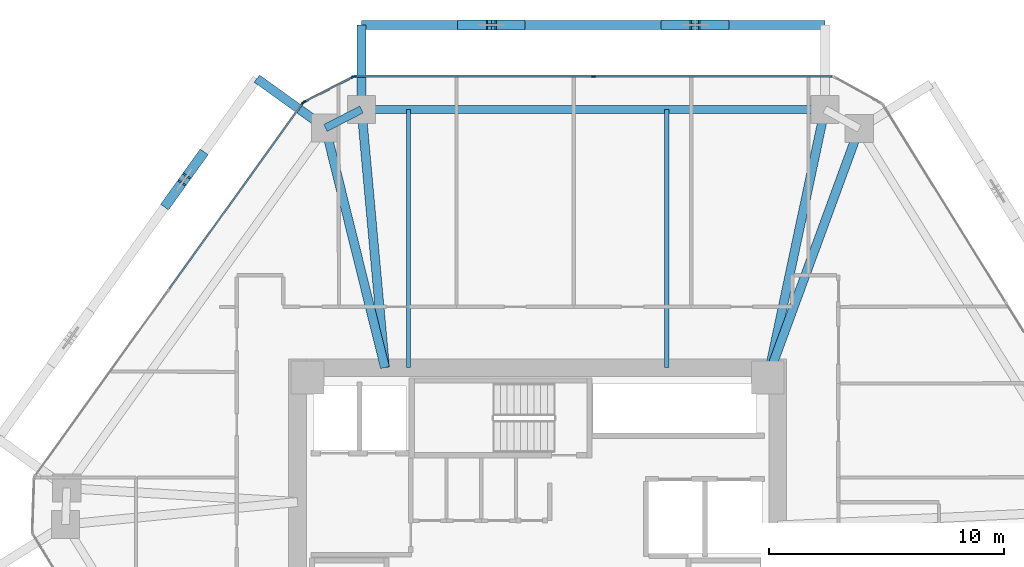
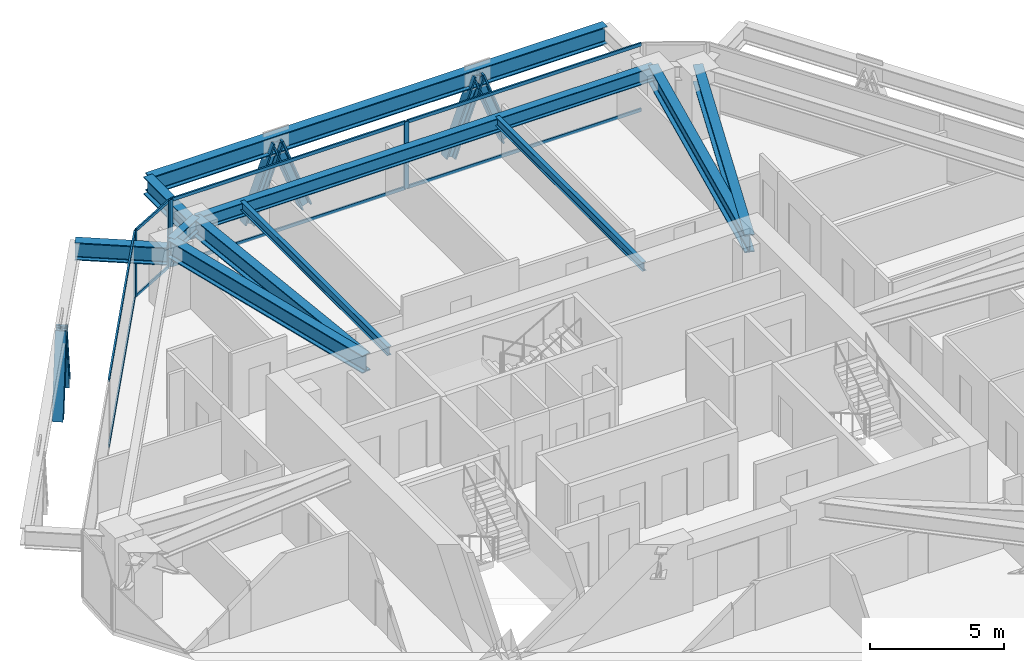
# One storey, part 7 of 16: 19 members, 11 beams, 3 elements without a shape of their own.
"""IFC4 building model written with IfcOpenShell, lengths in metres."""

from ifc_helpers import new_model, si_unit, direction, frame, origin, origin_2d, place, context, subcontext, project, spatial, rectangle, i_section, extrude, source, transform, mapped, material, layer, layer_set, material_profile, profile_set, type_object, type_shapes, element, aggregate, save


model = new_model("IFC4")

# Units and contexts
model_context = context("Model", 3, precision=1e-05, world=origin(), true_north=direction((0.0, 1.0)))
body_context = subcontext(model_context, "Body", "Model", "MODEL_VIEW")
ifc_project = project(units=[si_unit("LENGTHUNIT", "METRE"), si_unit("AREAUNIT", "SQUARE_METRE"), si_unit("VOLUMEUNIT", "CUBIC_METRE"), si_unit("PLANEANGLEUNIT", "RADIAN"), si_unit("MASSUNIT", "GRAM", prefix="KILO")], contexts=[model_context])

# Site, building, storey
site_placement = place(None, origin())
site = spatial("IfcSite", under=ifc_project, at=site_placement, CompositionType="ELEMENT")
building_placement = place(site_placement, origin())
building = spatial("IfcBuilding", under=site, at=building_placement, Name="Durnholm Broadcast Tower", CompositionType="ELEMENT")
storey_placement = place(building_placement, frame((0.0, 0.0, 123.89990234375)))
storey = spatial("IfcBuildingStorey", under=building, at=storey_placement, Name="L33", CompositionType="ELEMENT", Elevation=123.89990234375)

# Beams
ifc_material_1 = material(Name="Steel ASTM A992 Grade 50", Category="steel")
ifc_material_profile_1 = material_profile(ifc_material_1, i_section(OverallWidth=0.385009765625, OverallDepth=0.802978515625, WebThickness=0.023681640625, FlangeThickness=0.0419921875, FilletRadius=0.032958984375, at=origin_2d()), Name="W30X261")
ifc_profile_set_1 = profile_set([ifc_material_profile_1], Name="Steel ASTM A992 Grade 50")
beam_type_1 = type_object("IfcBeamType", Name="BM-EXO-TIE", PredefinedType="USERDEFINED", material=ifc_profile_set_1)
shared_shape_1 = source(origin(), body_context, "Body", "SweptSolid", [
    extrude(i_section(OverallWidth=0.385009765625, OverallDepth=0.802978515625, WebThickness=0.023681640625, FlangeThickness=0.0419921875, FilletRadius=0.032958984375, at=origin_2d()), origin(), (0.0, 0.0, 1.0), 3.4560546875),
])
beam_1_placement = place(storey_placement, frame((-7.498046875, 19.35888671875, 2.30859375), z_axis=(0.0, 1.0, 0.0), x_axis=(-1.0, 0.0, 0.0)))
element("IfcBeam", 1, at=beam_1_placement, inside=storey, type_object=beam_type_1, Name="L33 exoskeleton stand-off tie bracket F4.2", ObjectType="GIRDER", PredefinedType="USERDEFINED", context=body_context, shape_type="MappedRepresentation", body=[
    mapped(shared_shape_1, transform((0.0, 0.0, 0.0), x_axis=(1.0, 0.0, 0.0), y_axis=(0.0, 1.0, 0.0), z_axis=(0.0, 0.0, 1.0), scale=1.0)),
])
ifc_material_profile_2 = material_profile(ifc_material_1, i_section(OverallWidth=0.3291015625, OverallDepth=0.635009765625, WebThickness=0.017822265625, FlangeThickness=0.031005859375, FilletRadius=0.02783203125, at=origin_2d()), Name="W24X162")
ifc_profile_set_2 = profile_set([ifc_material_profile_2], Name="Steel ASTM A992 Grade 50")
beam_type_2 = type_object("IfcBeamType", Name="STL-SP-W24X162", PredefinedType="SPANDREL", material=ifc_profile_set_2)
shared_shape_2 = source(origin(), body_context, "Body", "SweptSolid", [
    extrude(i_section(OverallWidth=0.3291015625, OverallDepth=0.635009765625, WebThickness=0.017822265625, FlangeThickness=0.031005859375, FilletRadius=0.02783203125, at=origin_2d()), origin(), (0.0, 0.0, 1.0), 1.723876953125),
])
beam_2_placement = place(storey_placement, frame((-9.031982421875, 18.42822265625, 2.7275390625), z_axis=(0.889762904339, 0.456423020959, 0.0), x_axis=(-0.456423020959, 0.889762904339, 0.0)))
element("IfcBeam", 2, at=beam_2_placement, inside=storey, type_object=beam_type_2, Name="L33 perimeter spandrel girder 04", PredefinedType="SPANDREL", context=body_context, shape_type="MappedRepresentation", body=[
    mapped(shared_shape_2, transform((0.0, 0.0, 0.0), x_axis=(1.0, 0.0, 0.0), y_axis=(0.0, 1.0, 0.0), z_axis=(0.0, 0.0, 1.0), scale=1.0)),
])
shared_shape_3 = source(origin(), body_context, "Body", "SweptSolid", [
    extrude(i_section(OverallWidth=0.3291015625, OverallDepth=0.635009765625, WebThickness=0.017822265625, FlangeThickness=0.031005859375, FilletRadius=0.02783203125, at=origin_2d()), origin(), (0.0, 0.0, 1.0), 19.72802734375),
])
type_shapes(beam_type_2, [shared_shape_2, shared_shape_3])
beam_3_placement = place(storey_placement, frame((-7.498046875, 19.215087890625, 2.7275390625), z_axis=(1.0, 0.0, 0.0), x_axis=(0.0, 1.0, 0.0)))
element("IfcBeam", 3, at=beam_3_placement, inside=storey, type_object=beam_type_2, Name="L33 perimeter spandrel girder 05", PredefinedType="SPANDREL", context=body_context, shape_type="MappedRepresentation", body=[
    mapped(shared_shape_3, transform((0.0, 0.0, 0.0), x_axis=(1.0, 0.0, 0.0), y_axis=(0.0, 1.0, 0.0), z_axis=(0.0, 0.0, 1.0), scale=1.0)),
])
ifc_material_profile_3 = material_profile(ifc_material_1, i_section(OverallWidth=0.385009765625, OverallDepth=0.802978515625, WebThickness=0.023681640625, FlangeThickness=0.0419921875, FilletRadius=0.032958984375, at=origin_2d()), Name="W30X261")
ifc_profile_set_3 = profile_set([ifc_material_profile_3], Name="Steel ASTM A992 Grade 50")
beam_type_3 = type_object("IfcBeamType", Name="STL-GR-W30X261", PredefinedType="USERDEFINED", material=ifc_profile_set_3)
shared_shape_4 = source(origin(), body_context, "Body", "SweptSolid", [
    extrude(i_section(OverallWidth=0.385009765625, OverallDepth=0.802978515625, WebThickness=0.023681640625, FlangeThickness=0.0419921875, FilletRadius=0.032958984375, at=origin_2d()), origin(), (0.0, 0.0, 1.0), 10.5126953125),
])
beam_4_placement = place(storey_placement, frame((-6.5, 8.22509765625, 2.6435546875), z_axis=(-0.240852230194, 0.970561797729, 0.0), x_axis=(-0.970561797729, -0.240852230194, 0.0)))
element("IfcBeam", 4, at=beam_4_placement, inside=storey, type_object=beam_type_3, Name="L33 radial primary floor girder 04", ObjectType="GIRDER", PredefinedType="USERDEFINED", context=body_context, shape_type="MappedRepresentation", body=[
    mapped(shared_shape_4, transform((0.0, 0.0, 0.0), x_axis=(1.0, 0.0, 0.0), y_axis=(0.0, 1.0, 0.0), z_axis=(0.0, 0.0, 1.0), scale=1.0)),
])
shared_shape_5 = source(origin(), body_context, "Body", "SweptSolid", [
    extrude(i_section(OverallWidth=0.385009765625, OverallDepth=0.802978515625, WebThickness=0.023681640625, FlangeThickness=0.0419921875, FilletRadius=0.032958984375, at=origin_2d()), origin(), (0.0, 0.0, 1.0), 11.03515625),
])
beam_5_placement = place(storey_placement, frame((-6.5, 8.22509765625, 2.6435546875), z_axis=(-0.090441991612, 0.995901725148, 0.0), x_axis=(-0.995901725148, -0.090441991612, 0.0)))
element("IfcBeam", 5, at=beam_5_placement, inside=storey, type_object=beam_type_3, Name="L33 radial primary floor girder 05", ObjectType="GIRDER", PredefinedType="USERDEFINED", context=body_context, shape_type="MappedRepresentation", body=[
    mapped(shared_shape_5, transform((0.0, 0.0, 0.0), x_axis=(1.0, 0.0, 0.0), y_axis=(0.0, 1.0, 0.0), z_axis=(0.0, 0.0, 1.0), scale=1.0)),
])
shared_shape_6 = source(origin(), body_context, "Body", "SweptSolid", [
    extrude(i_section(OverallWidth=0.385009765625, OverallDepth=0.802978515625, WebThickness=0.023681640625, FlangeThickness=0.0419921875, FilletRadius=0.032958984375, at=origin_2d()), origin(), (0.0, 0.0, 1.0), 11.6708984375),
])
beam_6_placement = place(storey_placement, frame((9.800048828125, 7.800048828125, 2.6435546875), z_axis=(0.208206004915, 0.97808499606, 0.0), x_axis=(-0.97808499606, 0.208206004915, 0.0)))
element("IfcBeam", 6, at=beam_6_placement, inside=storey, type_object=beam_type_3, Name="L33 radial primary floor girder 06", ObjectType="GIRDER", PredefinedType="USERDEFINED", context=body_context, shape_type="MappedRepresentation", body=[
    mapped(shared_shape_6, transform((0.0, 0.0, 0.0), x_axis=(1.0, 0.0, 0.0), y_axis=(0.0, 1.0, 0.0), z_axis=(0.0, 0.0, 1.0), scale=1.0)),
])
shared_shape_7 = source(origin(), body_context, "Body", "SweptSolid", [
    extrude(i_section(OverallWidth=0.385009765625, OverallDepth=0.802978515625, WebThickness=0.023681640625, FlangeThickness=0.0419921875, FilletRadius=0.032958984375, at=origin_2d()), origin(), (0.0, 0.0, 1.0), 11.293212890625),
])
type_shapes(beam_type_3, [shared_shape_4, shared_shape_5, shared_shape_6, shared_shape_7])
beam_7_placement = place(storey_placement, frame((9.800048828125, 7.800048828125, 2.6435546875), z_axis=(0.344640193759, 0.938734859716, 0.0), x_axis=(-0.938734859716, 0.344640193759, 0.0)))
element("IfcBeam", 7, at=beam_7_placement, inside=storey, type_object=beam_type_3, Name="L33 radial primary floor girder 07", ObjectType="GIRDER", PredefinedType="USERDEFINED", context=body_context, shape_type="MappedRepresentation", body=[
    mapped(shared_shape_7, transform((0.0, 0.0, 0.0), x_axis=(1.0, 0.0, 0.0), y_axis=(0.0, 1.0, 0.0), z_axis=(0.0, 0.0, 1.0), scale=1.0)),
])
ifc_material_profile_4 = material_profile(ifc_material_1, i_section(OverallWidth=0.177734375, OverallDepth=0.40673828125, WebThickness=0.0078125, FlangeThickness=0.0126953125, FilletRadius=0.01904296875, at=origin_2d()), Name="W16X40")
ifc_profile_set_4 = profile_set([ifc_material_profile_4], Name="Steel ASTM A992 Grade 50")
beam_type_4 = type_object("IfcBeamType", Name="STL-BJ-W16X40", PredefinedType="JOIST", material=ifc_profile_set_4)
shared_shape_8 = source(origin(), body_context, "Body", "SweptSolid", [
    extrude(i_section(OverallWidth=0.177734375, OverallDepth=0.40673828125, WebThickness=0.0078125, FlangeThickness=0.0126953125, FilletRadius=0.01904296875, at=origin_2d()), origin(), (0.0, 0.0, 1.0), 10.989990234375),
])
type_shapes(beam_type_4, [shared_shape_8])
for number, where, z_axis, x_axis, name in (
    (8, (-5.5, 8.22509765625, 2.841796875), (0.0, 1.0, 0.0), (-1.0, 0.0, 0.0), "L33 secondary floor joist 3.2"),
    (9, (5.5, 8.22509765625, 2.841796875), (0.0, 1.0, 0.0), (-1.0, 0.0, 0.0), "L33 secondary floor joist 4.2"),
):
    element("IfcBeam", number, at=place(storey_placement, frame(where, z_axis=z_axis, x_axis=x_axis)), inside=storey, type_object=beam_type_4, Name=name, PredefinedType="JOIST", context=body_context, shape_type="MappedRepresentation", body=[
        mapped(shared_shape_8, transform((0.0, 0.0, 0.0), x_axis=(1.0, 0.0, 0.0), y_axis=(0.0, 1.0, 0.0), z_axis=(0.0, 0.0, 1.0), scale=1.0)),
    ])
shared_shape_9 = source(origin(), body_context, "Body", "SweptSolid", [
    extrude(i_section(OverallWidth=0.385009765625, OverallDepth=0.802978515625, WebThickness=0.023681640625, FlangeThickness=0.0419921875, FilletRadius=0.032958984375, at=origin_2d()), origin(), (0.0, 0.0, 1.0), 19.72802734375),
])
beam_8_placement = place(storey_placement, frame((12.22998046875, 22.81494140625, 2.30859375), z_axis=(-1.0, 0.0, 0.0), x_axis=(0.0, -1.0, 0.0)))
element("IfcBeam", 10, at=beam_8_placement, inside=storey, type_object=beam_type_1, Name="L33 exoskeleton collector spandrel F4", PredefinedType="SPANDREL", context=body_context, shape_type="MappedRepresentation", body=[
    mapped(shared_shape_9, transform((0.0, 0.0, 0.0), x_axis=(1.0, 0.0, 0.0), y_axis=(0.0, 1.0, 0.0), z_axis=(0.0, 0.0, 1.0), scale=1.0)),
])
shared_shape_10 = source(origin(), body_context, "Body", "SweptSolid", [
    extrude(i_section(OverallWidth=0.385009765625, OverallDepth=0.802978515625, WebThickness=0.023681640625, FlangeThickness=0.0419921875, FilletRadius=0.032958984375, at=origin_2d()), origin(), (0.0, 0.0, 1.0), 3.456298828125),
])
type_shapes(beam_type_1, [shared_shape_1, shared_shape_9, shared_shape_10])
beam_9_placement = place(storey_placement, frame((-9.14892578125, 18.51220703125, 2.30859375), z_axis=(-0.812131479052, 0.583474473077, 0.0), x_axis=(-0.583474473077, -0.812131479052, 0.0)))
element("IfcBeam", 11, at=beam_9_placement, inside=storey, type_object=beam_type_1, Name="L33 exoskeleton stand-off tie bracket F5.1", ObjectType="GIRDER", PredefinedType="USERDEFINED", context=body_context, shape_type="MappedRepresentation", body=[
    mapped(shared_shape_10, transform((0.0, 0.0, 0.0), x_axis=(1.0, 0.0, 0.0), y_axis=(0.0, 1.0, 0.0), z_axis=(0.0, 0.0, 1.0), scale=1.0)),
])

# Members
ifc_material_2 = material(Name="Steel ASTM A913 Grade 65", Category="steel")
ifc_material_profile_5 = material_profile(ifc_material_2, i_section(OverallWidth=0.41845703125, OverallDepth=0.455078125, WebThickness=0.0419921875, FlangeThickness=0.067626953125, FilletRadius=0.030517578125, at=origin_2d()), Name="W14X370")
ifc_profile_set_5 = profile_set([ifc_material_profile_5], Name="Steel ASTM A913 Grade 65")
member_type_1 = type_object("IfcMemberType", Name="STL-DG-W14X370", PredefinedType="BRACE", material=ifc_profile_set_5)
shared_shape_11 = source(origin(), body_context, "Body", "SweptSolid", [
    extrude(i_section(OverallWidth=0.41845703125, OverallDepth=0.455078125, WebThickness=0.0419921875, FlangeThickness=0.067626953125, FilletRadius=0.030517578125, at=origin_2d()), origin(), (0.0, 0.0, 1.0), 3.52294921875),
])
type_shapes(member_type_1, [shared_shape_11])
for number, where, z_axis, x_axis, name in (
    (12, (7.93994140625, 22.81494140625, -0.9912109375), (-0.350242321485, 0.0, 0.93665912489), (0.0, -1.0, 0.0), "L33 stand-off diagrid brace F4.D1.1"),
    (13, (5.472412109375, 22.81494140625, -0.9912109375), (0.35018152026, 0.0, 0.936681857873), (0.0, 1.0, 0.0), "L33 stand-off diagrid brace F4.D1.2"),
    (14, (-0.740478515625, 22.81494140625, -0.9912109375), (-0.350242321485, 0.0, 0.93665912489), (0.0, -1.0, 0.0), "L33 stand-off diagrid brace F4.D2.1"),
    (15, (-3.2080078125, 22.81494140625, -0.9912109375), (0.35018152026, 0.0, 0.936681857873), (0.0, 1.0, 0.0), "L33 stand-off diagrid brace F4.D2.2"),
    (16, (-14.321044921875, 17.236328125, -0.9912109375), (-0.204301080379, -0.284413715697, 0.936680258615), (0.812179469647, -0.583407669717, 0.0), "L33 stand-off diagrid brace F5.D1.1"),
    (17, (-15.7607421875, 15.232421875, -0.9912109375), (0.204367487982, 0.284409688259, 0.936666994764), (-0.812085698931, 0.583538188632, 0.0), "L33 stand-off diagrid brace F5.D1.2"),
):
    element("IfcMember", number, at=place(storey_placement, frame(where, z_axis=z_axis, x_axis=x_axis)), inside=storey, type_object=member_type_1, Name=name, PredefinedType="BRACE", context=body_context, shape_type="MappedRepresentation", body=[
        mapped(shared_shape_11, transform((0.0, 0.0, 0.0), x_axis=(1.0, 0.0, 0.0), y_axis=(0.0, 1.0, 0.0), z_axis=(0.0, 0.0, 1.0), scale=1.0)),
    ])

# Curtain wall, members
ifc_material_3 = material(Name="Aluminium and Solar Control IGU", Category="aluminium")
ifc_layer_1 = layer(ifc_material_3, 0.1650390625)
ifc_layer_set_1 = layer_set([ifc_layer_1], Name="Aluminium and Solar Control IGU")
curtain_wall_type_1 = type_object("IfcCurtainWallType", Name="CW-SYS-5", PredefinedType="NOTDEFINED", material=ifc_layer_set_1)
curtain_wall_1_placement = place(storey_placement, origin())
curtain_wall_1 = element("IfcCurtainWall", 18, at=curtain_wall_1_placement, inside=storey, type_object=curtain_wall_type_1, Name="L33 curtain wall CW-CORNER CW-L33-CRN-03", PredefinedType="NOTDEFINED")
ifc_material_4 = material(Name="Aluminium 6063-T6", Category="aluminium")
ifc_material_profile_6 = material_profile(ifc_material_4, rectangle(XDim=0.06494140625, YDim=0.1650390625, at=origin_2d()), Name="CWM65X165")
ifc_profile_set_6 = profile_set([ifc_material_profile_6], Name="Aluminium 6063-T6")
member_type_2 = type_object("IfcMemberType", Name="CW-SYS-5-MUL", PredefinedType="MULLION", material=ifc_profile_set_6)
shared_shape_12 = source(origin(), body_context, "Body", "SweptSolid", [
    extrude(rectangle(XDim=0.06494140625, YDim=0.1650390625, at=origin_2d()), origin(), (0.0, 0.0, 1.0), 3.06005859375),
])
type_shapes(member_type_2, [shared_shape_12])
member_1_placement = place(storey_placement, frame((-9.94287109375, 19.534423828125, 0.0), z_axis=(0.0, 0.0, 1.0), x_axis=(-0.45637332267, 0.889788396392, 0.0)))
member_1 = element("IfcMember", 19, at=member_1_placement, type_object=member_type_2, Name="CW-CORNER mullion 1", PredefinedType="MULLION", context=body_context, shape_type="MappedRepresentation", body=[
    mapped(shared_shape_12, transform((0.0, 0.0, 0.0), x_axis=(1.0, 0.0, 0.0), y_axis=(0.0, 1.0, 0.0), z_axis=(0.0, 0.0, 1.0), scale=1.0)),
])
member_2_placement = place(storey_placement, frame((-7.865234375, 20.60009765625, 0.0), z_axis=(0.0, 0.0, 1.0), x_axis=(-0.45637332267, 0.889788396392, 0.0)))
member_2 = element("IfcMember", 20, at=member_2_placement, type_object=member_type_2, Name="CW-CORNER mullion 2", PredefinedType="MULLION", context=body_context, shape_type="MappedRepresentation", body=[
    mapped(shared_shape_12, transform((0.0, 0.0, 0.0), x_axis=(1.0, 0.0, 0.0), y_axis=(0.0, 1.0, 0.0), z_axis=(0.0, 0.0, 1.0), scale=1.0)),
])

# Curtain wall, member
ifc_layer_2 = layer(ifc_material_3, 0.18994140625)
ifc_layer_set_2 = layer_set([ifc_layer_2], Name="Aluminium and Solar Control IGU")
curtain_wall_type_2 = type_object("IfcCurtainWallType", Name="CW-SYS-3", PredefinedType="NOTDEFINED", material=ifc_layer_set_2)
curtain_wall_2_placement = place(storey_placement, origin())
curtain_wall_2 = element("IfcCurtainWall", 21, at=curtain_wall_2_placement, inside=storey, type_object=curtain_wall_type_2, Name="L33 curtain wall CW-Z12-VIS CW-L33-F02", PredefinedType="NOTDEFINED")
ifc_material_profile_7 = material_profile(ifc_material_4, rectangle(XDim=0.070068359375, YDim=0.18994140625, at=origin_2d()), Name="CWM70X190")
ifc_profile_set_7 = profile_set([ifc_material_profile_7], Name="Aluminium 6063-T6")
member_type_3 = type_object("IfcMemberType", Name="CW-SYS-3-MUL", PredefinedType="MULLION", material=ifc_profile_set_7)
shared_shape_13 = source(origin(), body_context, "Body", "SweptSolid", [
    extrude(rectangle(XDim=0.070068359375, YDim=0.18994140625, at=origin_2d()), origin(), (0.0, 0.0, 1.0), 3.06005859375),
])
type_shapes(member_type_3, [shared_shape_13])
member_3_placement = place(storey_placement, frame((-9.9921875, 19.4912109375, 0.0), z_axis=(0.0, 0.0, 1.0), x_axis=(-0.812152312759, 0.583445473786, 0.0)))
member_3 = element("IfcMember", 22, at=member_3_placement, type_object=member_type_3, Name="CW-Z12-VIS mullion 3", PredefinedType="MULLION", context=body_context, shape_type="MappedRepresentation", body=[
    mapped(shared_shape_13, transform((0.0, 0.0, 0.0), x_axis=(1.0, 0.0, 0.0), y_axis=(0.0, 1.0, 0.0), z_axis=(0.0, 0.0, 1.0), scale=1.0)),
])

# Curtain wall, members
curtain_wall_3_placement = place(storey_placement, origin())
curtain_wall_3 = element("IfcCurtainWall", 23, at=curtain_wall_3_placement, inside=storey, type_object=curtain_wall_type_2, Name="L33 curtain wall CW-Z12-VIS CW-L33-F04", PredefinedType="NOTDEFINED")
member_4_placement = place(storey_placement, frame((-7.80126953125, 20.614990234375, 0.0), z_axis=(0.0, 0.0, 1.0), x_axis=(0.0, 1.0, 0.0)))
member_4 = element("IfcMember", 24, at=member_4_placement, type_object=member_type_3, Name="CW-Z12-VIS mullion 1", PredefinedType="MULLION", context=body_context, shape_type="MappedRepresentation", body=[
    mapped(shared_shape_13, transform((0.0, 0.0, 0.0), x_axis=(1.0, 0.0, 0.0), y_axis=(0.0, 1.0, 0.0), z_axis=(0.0, 0.0, 1.0), scale=1.0)),
])
member_5_placement = place(storey_placement, frame((2.37841796875, 20.614990234375, 0.0), z_axis=(0.0, 0.0, 1.0), x_axis=(0.0, 1.0, 0.0)))
member_5 = element("IfcMember", 25, at=member_5_placement, type_object=member_type_3, Name="CW-Z12-VIS mullion 2", PredefinedType="MULLION", context=body_context, shape_type="MappedRepresentation", body=[
    mapped(shared_shape_13, transform((0.0, 0.0, 0.0), x_axis=(1.0, 0.0, 0.0), y_axis=(0.0, 1.0, 0.0), z_axis=(0.0, 0.0, 1.0), scale=1.0)),
])

# Member
ifc_material_profile_8 = material_profile(ifc_material_4, rectangle(XDim=0.06494140625, YDim=0.1298828125, at=origin_2d()), Name="CWT65X130")
ifc_profile_set_8 = profile_set([ifc_material_profile_8], Name="Aluminium 6063-T6")
member_type_4 = type_object("IfcMemberType", Name="CW-SYS-5-TRN", PredefinedType="USERDEFINED", material=ifc_profile_set_8)
shared_shape_14 = source(origin(), body_context, "Body", "SweptSolid", [
    extrude(rectangle(XDim=0.06494140625, YDim=0.1298828125, at=origin_2d()), origin(), (0.0, 0.0, 1.0), 2.27001953125),
])
type_shapes(member_type_4, [shared_shape_14])
member_6_placement = place(storey_placement, frame((-9.913818359375, 19.54931640625, 0.03271484375), z_axis=(0.889754750021, 0.456438916849, 0.0), x_axis=(-0.456438916849, 0.889754750021, 0.0)))
member_6 = element("IfcMember", 26, at=member_6_placement, type_object=member_type_4, Name="CW-CORNER transom 1.1", ObjectType="TRANSOM", PredefinedType="USERDEFINED", context=body_context, shape_type="MappedRepresentation", body=[
    mapped(shared_shape_14, transform((0.0, 0.0, 0.0), x_axis=(1.0, 0.0, 0.0), y_axis=(0.0, 1.0, 0.0), z_axis=(0.0, 0.0, 1.0), scale=1.0)),
])

member_7_placement = place(storey_placement, frame((-9.913818359375, 19.54931640625, 3.027587890625), z_axis=(0.889754750021, 0.456438916849, 0.0), x_axis=(-0.456438916849, 0.889754750021, 0.0)))
member_7 = element("IfcMember", 27, at=member_7_placement, type_object=member_type_4, Name="CW-CORNER transom 1.2", ObjectType="TRANSOM", PredefinedType="USERDEFINED", context=body_context, shape_type="MappedRepresentation", body=[
    mapped(shared_shape_14, transform((0.0, 0.0, 0.0), x_axis=(1.0, 0.0, 0.0), y_axis=(0.0, 1.0, 0.0), z_axis=(0.0, 0.0, 1.0), scale=1.0)),
])

aggregate(curtain_wall_1, [member_1, member_2, member_6, member_7])

ifc_material_profile_9 = material_profile(ifc_material_4, rectangle(XDim=0.070068359375, YDim=0.14990234375, at=origin_2d()), Name="CWT70X150")
ifc_profile_set_9 = profile_set([ifc_material_profile_9], Name="Aluminium 6063-T6")
member_type_5 = type_object("IfcMemberType", Name="CW-SYS-3-TRN", PredefinedType="USERDEFINED", material=ifc_profile_set_9)
shared_shape_15 = source(origin(), body_context, "Body", "SweptSolid", [
    extrude(rectangle(XDim=0.070068359375, YDim=0.14990234375, at=origin_2d()), origin(), (0.0, 0.0, 1.0), 9.71875),
])
member_8_placement = place(storey_placement, frame((-15.682861328125, 11.56982421875, 0.03515625), z_axis=(0.583450726174, 0.812148539448, 0.0), x_axis=(-0.812148539448, 0.583450726174, 0.0)))
member_8 = element("IfcMember", 28, at=member_8_placement, type_object=member_type_5, Name="CW-Z12-VIS transom 2.1", ObjectType="TRANSOM", PredefinedType="USERDEFINED", context=body_context, shape_type="MappedRepresentation", body=[
    mapped(shared_shape_15, transform((0.0, 0.0, 0.0), x_axis=(1.0, 0.0, 0.0), y_axis=(0.0, 1.0, 0.0), z_axis=(0.0, 0.0, 1.0), scale=1.0)),
])

member_9_placement = place(storey_placement, frame((-15.682861328125, 11.56982421875, 3.025146484375), z_axis=(0.583450726174, 0.812148539448, 0.0), x_axis=(-0.812148539448, 0.583450726174, 0.0)))
member_9 = element("IfcMember", 29, at=member_9_placement, type_object=member_type_5, Name="CW-Z12-VIS transom 2.2", ObjectType="TRANSOM", PredefinedType="USERDEFINED", context=body_context, shape_type="MappedRepresentation", body=[
    mapped(shared_shape_15, transform((0.0, 0.0, 0.0), x_axis=(1.0, 0.0, 0.0), y_axis=(0.0, 1.0, 0.0), z_axis=(0.0, 0.0, 1.0), scale=1.0)),
])

aggregate(curtain_wall_2, [member_3, member_8, member_9])

shared_shape_16 = source(origin(), body_context, "Body", "SweptSolid", [
    extrude(rectangle(XDim=0.070068359375, YDim=0.14990234375, at=origin_2d()), origin(), (0.0, 0.0, 1.0), 10.109619140625),
])
type_shapes(member_type_5, [shared_shape_15, shared_shape_16])
member_10_placement = place(storey_placement, frame((-7.76611328125, 20.614990234375, 0.03515625), z_axis=(1.0, 0.0, 0.0), x_axis=(0.0, 1.0, 0.0)))
member_10 = element("IfcMember", 30, at=member_10_placement, type_object=member_type_5, Name="CW-Z12-VIS transom 1.1", ObjectType="TRANSOM", PredefinedType="USERDEFINED", context=body_context, shape_type="MappedRepresentation", body=[
    mapped(shared_shape_16, transform((0.0, 0.0, 0.0), x_axis=(1.0, 0.0, 0.0), y_axis=(0.0, 1.0, 0.0), z_axis=(0.0, 0.0, 1.0), scale=1.0)),
])

member_11_placement = place(storey_placement, frame((-7.76611328125, 20.614990234375, 3.025146484375), z_axis=(1.0, 0.0, 0.0), x_axis=(0.0, 1.0, 0.0)))
member_11 = element("IfcMember", 31, at=member_11_placement, type_object=member_type_5, Name="CW-Z12-VIS transom 1.2", ObjectType="TRANSOM", PredefinedType="USERDEFINED", context=body_context, shape_type="MappedRepresentation", body=[
    mapped(shared_shape_16, transform((0.0, 0.0, 0.0), x_axis=(1.0, 0.0, 0.0), y_axis=(0.0, 1.0, 0.0), z_axis=(0.0, 0.0, 1.0), scale=1.0)),
])

member_12_placement = place(storey_placement, frame((2.41357421875, 20.614990234375, 0.03515625), z_axis=(1.0, 0.0, 0.0), x_axis=(0.0, 1.0, 0.0)))
member_12 = element("IfcMember", 32, at=member_12_placement, type_object=member_type_5, Name="CW-Z12-VIS transom 2.1", ObjectType="TRANSOM", PredefinedType="USERDEFINED", context=body_context, shape_type="MappedRepresentation", body=[
    mapped(shared_shape_16, transform((0.0, 0.0, 0.0), x_axis=(1.0, 0.0, 0.0), y_axis=(0.0, 1.0, 0.0), z_axis=(0.0, 0.0, 1.0), scale=1.0)),
])

member_13_placement = place(storey_placement, frame((2.41357421875, 20.614990234375, 3.025146484375), z_axis=(1.0, 0.0, 0.0), x_axis=(0.0, 1.0, 0.0)))
member_13 = element("IfcMember", 33, at=member_13_placement, type_object=member_type_5, Name="CW-Z12-VIS transom 2.2", ObjectType="TRANSOM", PredefinedType="USERDEFINED", context=body_context, shape_type="MappedRepresentation", body=[
    mapped(shared_shape_16, transform((0.0, 0.0, 0.0), x_axis=(1.0, 0.0, 0.0), y_axis=(0.0, 1.0, 0.0), z_axis=(0.0, 0.0, 1.0), scale=1.0)),
])

aggregate(curtain_wall_3, [member_4, member_5, member_10, member_11, member_12, member_13])

save(model, "model.ifc")
